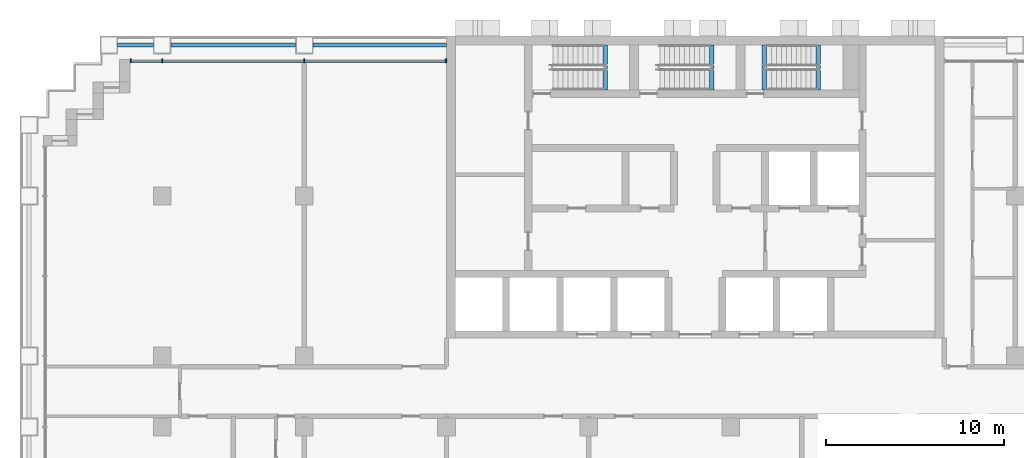
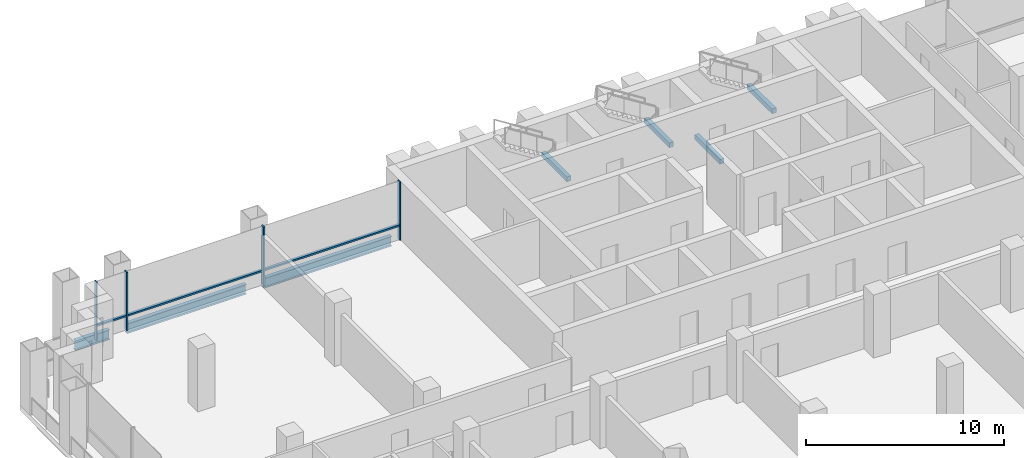
# One storey, part 4 of 13: 7 beams, 7 members, 1 element without a shape of its own.
"""IFC4 building model written with IfcOpenShell, lengths in metres."""

from ifc_helpers import new_model, si_unit, direction, frame, origin, origin_2d, place, context, subcontext, project, spatial, rectangle, i_section, extrude, material, material_profile, profile_set, type_object, element, aggregate, save


model = new_model("IFC4")

# Units and contexts
model_context = context("Model", 3, precision=1e-05, world=origin(), true_north=direction((0.0, 1.0)))
body_context = subcontext(model_context, "Body", "Model", "MODEL_VIEW")
ifc_project = project(units=[si_unit("LENGTHUNIT", "METRE"), si_unit("AREAUNIT", "SQUARE_METRE"), si_unit("VOLUMEUNIT", "CUBIC_METRE"), si_unit("PLANEANGLEUNIT", "RADIAN"), si_unit("MASSUNIT", "GRAM", prefix="KILO")], contexts=[model_context])

# Site, building, storey
site_placement = place(None, origin())
site = spatial("IfcSite", under=ifc_project, at=site_placement, CompositionType="ELEMENT")
building_placement = place(site_placement, origin())
building = spatial("IfcBuilding", under=site, at=building_placement, Name="Vidyagriha Tower", CompositionType="ELEMENT")
storey_placement = place(building_placement, frame((0.0, 0.0, 37.699951171875)))
storey = spatial("IfcBuildingStorey", under=building, at=storey_placement, Name="L09", CompositionType="ELEMENT", Elevation=37.699951171875)

# Beams
ifc_material_1 = material(Name="Steel ASTM A992 Grade 50", Category="steel")
ifc_material_profile_1 = material_profile(ifc_material_1, i_section(OverallWidth=0.228271484375, OverallDepth=0.607177734375, WebThickness=0.01123046875, FlangeThickness=0.017333984375, at=origin_2d()), Name="W24X76")
ifc_profile_set_1 = profile_set([ifc_material_profile_1], Name="Steel ASTM A992 Grade 50")
beam_type_1 = type_object("IfcBeamType", Name="Edge beam W24X76", PredefinedType="SPANDREL", material=ifc_profile_set_1)
beam_1_placement = place(storey_placement, frame((-32.5, 19.5, -0.603515625), z_axis=(1.0, 0.0, 0.0), x_axis=(0.0, 1.0, 0.0)))
element("IfcBeam", 1, at=beam_1_placement, inside=storey, type_object=beam_type_1, Name="st-beam-L09-NW20", PredefinedType="SPANDREL", context=body_context, shape_type="SweptSolid", body=[
    extrude(i_section(OverallWidth=0.228271484375, OverallDepth=0.607177734375, WebThickness=0.01123046875, FlangeThickness=0.017333984375, at=origin_2d()), origin(), (0.0, 0.0, 1.0), 2.0),
])
beam_2_placement = place(storey_placement, frame((-29.5, 19.5, -0.603515625), z_axis=(1.0, 0.0, 0.0), x_axis=(0.0, 1.0, 0.0)))
element("IfcBeam", 2, at=beam_2_placement, inside=storey, type_object=beam_type_1, Name="st-beam-L09-NW21", PredefinedType="SPANDREL", context=body_context, shape_type="SweptSolid", body=[
    extrude(i_section(OverallWidth=0.228271484375, OverallDepth=0.607177734375, WebThickness=0.01123046875, FlangeThickness=0.017333984375, at=origin_2d()), origin(), (0.0, 0.0, 1.0), 7.0),
])
beam_3_placement = place(storey_placement, frame((-21.5, 19.5, -0.603515625), z_axis=(1.0, 0.0, 0.0), x_axis=(0.0, 1.0, 0.0)))
element("IfcBeam", 3, at=beam_3_placement, inside=storey, type_object=beam_type_1, Name="st-beam-L09-NC24", PredefinedType="SPANDREL", context=body_context, shape_type="SweptSolid", body=[
    extrude(i_section(OverallWidth=0.228271484375, OverallDepth=0.607177734375, WebThickness=0.01123046875, FlangeThickness=0.017333984375, at=origin_2d()), origin(), (0.0, 0.0, 1.0), 7.5),
])

# Curtain wall, members
ifc_material_2 = material(Name="Aluminium and glass curtain wall", Category="aluminium")
curtain_wall_type = type_object("IfcCurtainWallType", Name="Classroom skin unitised curtain wall", PredefinedType="USERDEFINED", material=ifc_material_2)
curtain_wall_placement = place(storey_placement, origin())
curtain_wall = element("IfcCurtainWall", 4, at=curtain_wall_placement, inside=storey, type_object=curtain_wall_type, Name="CW2 classroom skin", ObjectType="UNITISED", PredefinedType="USERDEFINED")
ifc_material_3 = material(Name="Aluminium black anodised", Category="aluminium")
ifc_material_profile_2 = material_profile(ifc_material_3, rectangle(XDim=0.219970703125, YDim=0.070068359375, at=origin_2d()), Name="Mullion 70x220 black aluminium")
ifc_profile_set_2 = profile_set([ifc_material_profile_2], Name="Aluminium black anodised")
member_type_1 = type_object("IfcMemberType", Name="Mullion 70x220 black aluminium", PredefinedType="MULLION", material=ifc_profile_set_2)
member_1_placement = place(storey_placement, frame((-14.034912109375, 18.60009765625, 0.0), z_axis=(0.0, 0.0, 1.0), x_axis=(0.0, -1.0, 0.0)))
member_1 = element("IfcMember", 5, at=member_1_placement, type_object=member_type_1, Name="CW2 mullion 1", PredefinedType="MULLION", context=body_context, shape_type="SweptSolid", body=[
    extrude(rectangle(XDim=0.219970703125, YDim=0.070068359375, at=origin_2d()), origin(), (0.0, 0.0, 1.0), 3.6201171875),
])
member_2_placement = place(storey_placement, frame((-22.0, 18.60009765625, 0.0), z_axis=(0.0, 0.0, 1.0), x_axis=(0.0, -1.0, 0.0)))
member_2 = element("IfcMember", 6, at=member_2_placement, type_object=member_type_1, Name="CW2 mullion 2", PredefinedType="MULLION", context=body_context, shape_type="SweptSolid", body=[
    extrude(rectangle(XDim=0.219970703125, YDim=0.070068359375, at=origin_2d()), origin(), (0.0, 0.0, 1.0), 3.6201171875),
])
member_3_placement = place(storey_placement, frame((-30.0, 18.60009765625, 0.0), z_axis=(0.0, 0.0, 1.0), x_axis=(0.0, -1.0, 0.0)))
member_3 = element("IfcMember", 7, at=member_3_placement, type_object=member_type_1, Name="CW2 mullion 3", PredefinedType="MULLION", context=body_context, shape_type="SweptSolid", body=[
    extrude(rectangle(XDim=0.219970703125, YDim=0.070068359375, at=origin_2d()), origin(), (0.0, 0.0, 1.0), 3.6201171875),
])
member_4_placement = place(storey_placement, frame((-31.764892578125, 18.60009765625, 0.0), z_axis=(0.0, 0.0, 1.0), x_axis=(0.0, -1.0, 0.0)))
member_4 = element("IfcMember", 8, at=member_4_placement, type_object=member_type_1, Name="CW2 mullion 4", PredefinedType="MULLION", context=body_context, shape_type="SweptSolid", body=[
    extrude(rectangle(XDim=0.219970703125, YDim=0.070068359375, at=origin_2d()), origin(), (0.0, 0.0, 1.0), 3.6201171875),
])

# Beams
ifc_material_4 = material(Name="Concrete C40/50", Category="concrete")
ifc_material_profile_3 = material_profile(ifc_material_4, rectangle(XDim=0.25, YDim=0.300048828125, at=origin_2d()), Name="Stair landing bearing beam 250x300")
ifc_profile_set_3 = profile_set([ifc_material_profile_3], Name="Concrete C40/50")
beam_type_2 = type_object("IfcBeamType", Name="Stair landing bearing beam 250x300", PredefinedType="BEAM", material=ifc_profile_set_3)
for number, where, z_axis, x_axis, name in (
    (9, (3.875, 16.949951171875, -0.449951171875), (0.0, 1.0, 0.0), (-1.0, 0.0, 0.0), "ST3 floor landing bearing beam L09"),
    (10, (-5.074951171875, 16.949951171875, 1.60009765625), (0.0, 1.0, 0.0), (-1.0, 0.0, 0.0), "ST1 landing bearing beam L09"),
    (11, (0.925048828125, 16.949951171875, 1.60009765625), (0.0, 1.0, 0.0), (-1.0, 0.0, 0.0), "ST2 landing bearing beam L09"),
    (12, (6.925048828125, 16.949951171875, 1.60009765625), (0.0, 1.0, 0.0), (-1.0, 0.0, 0.0), "ST3 landing bearing beam L09"),
):
    element("IfcBeam", number, at=place(storey_placement, frame(where, z_axis=z_axis, x_axis=x_axis)), inside=storey, type_object=beam_type_2, Name=name, PredefinedType="BEAM", context=body_context, shape_type="SweptSolid", body=[
        extrude(rectangle(XDim=0.25, YDim=0.300048828125, at=origin_2d()), origin(), (0.0, 0.0, 1.0), 2.550048828125),
    ])

# Member
ifc_material_5 = material(Name="Aluminium black anodised", Category="aluminium")
ifc_material_profile_4 = material_profile(ifc_material_5, rectangle(XDim=0.159912109375, YDim=0.10009765625, at=origin_2d()), Name="Transom 100x160 black aluminium")
ifc_profile_set_4 = profile_set([ifc_material_profile_4], Name="Aluminium black anodised")
member_type_2 = type_object("IfcMemberType", Name="Transom 100x160 black aluminium", PredefinedType="USERDEFINED", material=ifc_profile_set_4)
member_5_placement = place(storey_placement, frame((-14.070068359375, 18.60009765625, 0.900146484375), z_axis=(-1.0, 0.0, 0.0), x_axis=(0.0, -1.0, 0.0)))
member_5 = element("IfcMember", 13, at=member_5_placement, type_object=member_type_2, Name="CW2 transom 1.1", ObjectType="TRANSOM", PredefinedType="USERDEFINED", context=body_context, shape_type="SweptSolid", body=[
    extrude(rectangle(XDim=0.159912109375, YDim=0.10009765625, at=origin_2d()), origin(), (0.0, 0.0, 1.0), 7.89501953125),
])

member_6_placement = place(storey_placement, frame((-22.034912109375, 18.60009765625, 0.900146484375), z_axis=(-1.0, 0.0, 0.0), x_axis=(0.0, -1.0, 0.0)))
member_6 = element("IfcMember", 14, at=member_6_placement, type_object=member_type_2, Name="CW2 transom 2.1", ObjectType="TRANSOM", PredefinedType="USERDEFINED", context=body_context, shape_type="SweptSolid", body=[
    extrude(rectangle(XDim=0.159912109375, YDim=0.10009765625, at=origin_2d()), origin(), (0.0, 0.0, 1.0), 7.93017578125),
])

member_7_placement = place(storey_placement, frame((-30.034912109375, 18.60009765625, 0.900146484375), z_axis=(-1.0, 0.0, 0.0), x_axis=(0.0, -1.0, 0.0)))
member_7 = element("IfcMember", 15, at=member_7_placement, type_object=member_type_2, Name="CW2 transom 3.1", ObjectType="TRANSOM", PredefinedType="USERDEFINED", context=body_context, shape_type="SweptSolid", body=[
    extrude(rectangle(XDim=0.159912109375, YDim=0.10009765625, at=origin_2d()), origin(), (0.0, 0.0, 1.0), 1.695068359375),
])

aggregate(curtain_wall, [member_1, member_2, member_3, member_4, member_5, member_6, member_7])

save(model, "model.ifc")
